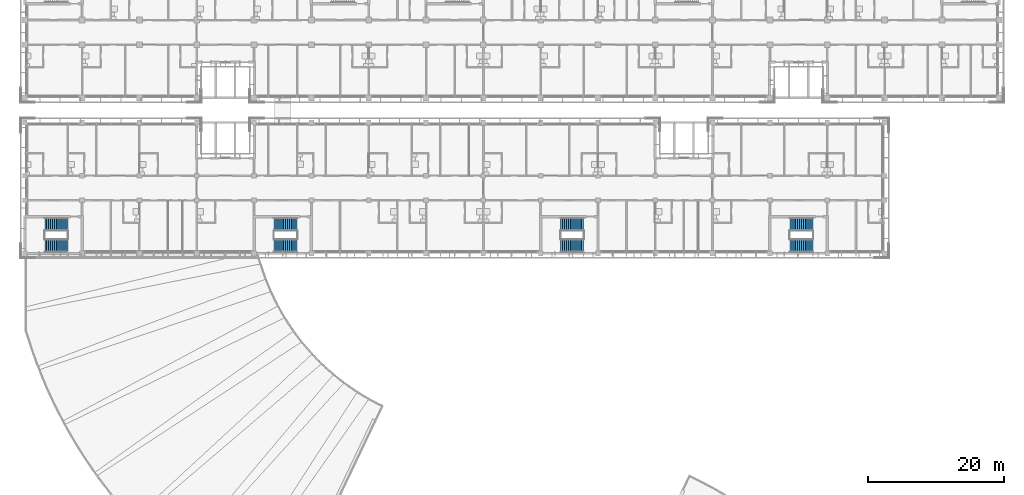
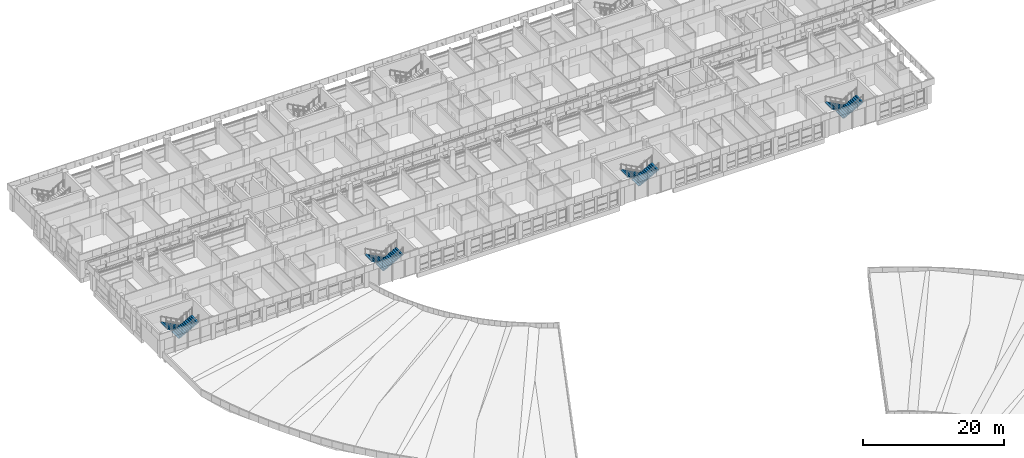
# One storey, part 45 of 74: 8 stair flights, 4 elements without a shape of their own.
"""IFC4 building model written with IfcOpenShell, lengths in metres."""

from ifc_helpers import new_model, si_unit, direction, frame, origin, place, context, subcontext, project, spatial, polyline, outline, extrude, material, type_object, element, aggregate, save


model = new_model("IFC4")

# Units and contexts
model_context = context("Model", 3, precision=1e-05, world=origin(), true_north=direction((0.0, 1.0)))
body_context = subcontext(model_context, "Body", "Model", "MODEL_VIEW")
ifc_project = project(units=[si_unit("LENGTHUNIT", "METRE"), si_unit("AREAUNIT", "SQUARE_METRE"), si_unit("VOLUMEUNIT", "CUBIC_METRE"), si_unit("PLANEANGLEUNIT", "RADIAN"), si_unit("MASSUNIT", "GRAM", prefix="KILO")], contexts=[model_context])

# Site, building, storey
site_placement = place(None, origin())
site = spatial("IfcSite", under=ifc_project, at=site_placement, CompositionType="ELEMENT")
building_placement = place(site_placement, origin())
building = spatial("IfcBuilding", under=site, at=building_placement, Name="Bougainvillea Quay General Hospital", CompositionType="ELEMENT")
storey_placement = place(building_placement, frame((0.0, 0.0, 21.0)))
storey = spatial("IfcBuildingStorey", under=building, at=storey_placement, Name="L04", CompositionType="ELEMENT", Elevation=21.0)

# Stair, stair flights
ifc_material = material(Name="Concrete C35", Category="concrete")
stair_type = type_object("IfcStairType", Name="Stair half-turn 1925 wide", PredefinedType="HALF_TURN_STAIR", material=ifc_material)
stair_1_placement = place(storey_placement, origin())
stair_1 = element("IfcStair", 1, at=stair_1_placement, inside=storey, type_object=stair_type, Name="L04 stair ST-B1", PredefinedType="HALF_TURN_STAIR")
stair_flight_type = type_object("IfcStairFlightType", Name="Stair flight 1925", PredefinedType="STRAIGHT", material=ifc_material)
stair_flight_1_placement = place(storey_placement, frame((48.300048828125, 121.862548828125, 0.0), z_axis=(0.0, 0.0, 1.0), x_axis=(-1.0, 0.0, 0.0)))
stair_flight_1 = element("IfcStairFlight", 2, at=stair_flight_1_placement, type_object=stair_flight_type, Name="ST-B1 flight 1", NumberOfRisers=13, NumberOfTreads=12, PredefinedType="STRAIGHT", RiserHeight=0.15, TreadLength=0.28, context=body_context, shape_type="SweptSolid", body=[
    extrude(outline(polyline([(-0.0029296875, 0.0), (-0.0029296875, 0.003662109375), (-0.0029296875, 0.00732421875), (-0.0029296875, 0.010986328125), (-0.0029296875, 0.0146484375), (-0.0029296875, 0.018310546875), (-0.0029296875, 0.02197265625), (-0.0029296875, 0.025634765625), (-0.0029296875, 0.029296875), (-0.0029296875, 0.032958984375), (-0.0029296875, 0.03662109375), (-0.0029296875, 0.040283203125), (-0.0029296875, 0.0439453125), (-0.0029296875, 0.047607421875), (-0.0029296875, 0.05126953125), (-0.0029296875, 0.054931640625), (-0.0029296875, 0.05859375), (-0.0029296875, 0.062255859375), (-0.0029296875, 0.06591796875), (-0.0029296875, 0.069580078125), (-0.0029296875, 0.0732421875), (-0.0029296875, 0.076904296875), (-0.0029296875, 0.08056640625), (-0.0029296875, 0.084228515625), (-0.0029296875, 0.087890625), (-0.0029296875, 0.091552734375), (-0.0029296875, 0.09521484375), (-0.0029296875, 0.098876953125), (-0.0029296875, 0.1025390625), (-0.0029296875, 0.106201171875), (-0.0029296875, 0.10986328125), (-0.0029296875, 0.113525390625), (-0.0029296875, 0.1171875), (-0.0029296875, 0.120849609375), (-0.0029296875, 0.12451171875), (-0.0029296875, 0.1279296875), (-0.0029296875, 0.131591796875), (-0.0029296875, 0.13525390625), (-0.0029296875, 0.138916015625), (-0.0029296875, 0.142578125), (-0.0029296875, 0.146240234375), (-0.0029296875, 0.14990234375), (0.280029296875, 0.14990234375), (0.280029296875, 0.300048828125), (0.56005859375, 0.300048828125), (0.56005859375, 0.449951171875), (0.840087890625, 0.449951171875), (0.840087890625, 0.60009765625), (1.1201171875, 0.60009765625), (1.1201171875, 0.75), (1.39990234375, 0.75), (1.39990234375, 0.89990234375), (1.679931640625, 0.89990234375), (1.679931640625, 1.050048828125), (1.9599609375, 1.050048828125), (1.9599609375, 1.199951171875), (2.239990234375, 1.199951171875), (2.239990234375, 1.35009765625), (2.52001953125, 1.35009765625), (2.52001953125, 1.5), (2.800048828125, 1.5), (2.800048828125, 1.64990234375), (3.080078125, 1.64990234375), (3.080078125, 1.800048828125), (3.363037109375, 1.800048828125), (3.363037109375, 1.7958984375), (3.363037109375, 1.791748046875), (3.363037109375, 1.78759765625), (3.363037109375, 1.783447265625), (3.363037109375, 1.779296875), (3.363037109375, 1.775146484375), (3.363037109375, 1.77099609375), (3.363037109375, 1.766845703125), (3.363037109375, 1.7626953125), (3.363037109375, 1.758544921875), (3.363037109375, 1.75439453125), (3.363037109375, 1.750244140625), (3.363037109375, 1.74609375), (3.363037109375, 1.741943359375), (3.363037109375, 1.73779296875), (3.363037109375, 1.733642578125), (3.363037109375, 1.7294921875), (3.363037109375, 1.725341796875), (3.363037109375, 1.72119140625), (3.363037109375, 1.717041015625), (3.363037109375, 1.712890625), (3.363037109375, 1.708740234375), (3.363037109375, 1.70458984375), (3.363037109375, 1.700439453125), (3.363037109375, 1.6962890625), (3.363037109375, 1.692138671875), (3.363037109375, 1.68798828125), (3.363037109375, 1.683837890625), (3.363037109375, 1.6796875), (3.363037109375, 1.675537109375), (3.363037109375, 1.67138671875), (3.363037109375, 1.667236328125), (3.363037109375, 1.6630859375), (3.363037109375, 1.658935546875), (3.363037109375, 1.65478515625), (3.363037109375, 1.650634765625), (3.363037109375, 1.646484375), (3.363037109375, 1.642333984375), (3.363037109375, 1.63818359375), (3.363037109375, 1.634033203125), (3.363037109375, 1.6298828125), (0.3173828125, 0.0), (-0.0029296875, 0.0)])), frame((0.0, 0.96240234375, 0.0), z_axis=(0.0, -1.0, 0.0), x_axis=(1.0, 0.0, 0.0)), (0.0, 0.0, 1.0), 1.925048828125),
])
stair_flight_2_placement = place(storey_placement, frame((44.93994140625, 118.737548828125, 1.949951171875), z_axis=(0.0, 0.0, 1.0), x_axis=(1.0, 0.0, 0.0)))
stair_flight_2 = element("IfcStairFlight", 3, at=stair_flight_2_placement, type_object=stair_flight_type, Name="ST-B1 flight 2", NumberOfRisers=13, NumberOfTreads=12, PredefinedType="STRAIGHT", RiserHeight=0.15, TreadLength=0.28, context=body_context, shape_type="SweptSolid", body=[
    extrude(outline(polyline([(-0.0029296875, 0.0), (-0.0029296875, 0.003662109375), (-0.0029296875, 0.00732421875), (-0.0029296875, 0.010986328125), (-0.0029296875, 0.0146484375), (-0.0029296875, 0.018310546875), (-0.0029296875, 0.02197265625), (-0.0029296875, 0.025634765625), (-0.0029296875, 0.029296875), (-0.0029296875, 0.032958984375), (-0.0029296875, 0.03662109375), (-0.0029296875, 0.040283203125), (-0.0029296875, 0.0439453125), (-0.0029296875, 0.047607421875), (-0.0029296875, 0.05126953125), (-0.0029296875, 0.054931640625), (-0.0029296875, 0.05859375), (-0.0029296875, 0.062255859375), (-0.0029296875, 0.06591796875), (-0.0029296875, 0.069580078125), (-0.0029296875, 0.0732421875), (-0.0029296875, 0.076904296875), (-0.0029296875, 0.08056640625), (-0.0029296875, 0.084228515625), (-0.0029296875, 0.087890625), (-0.0029296875, 0.091552734375), (-0.0029296875, 0.09521484375), (-0.0029296875, 0.098876953125), (-0.0029296875, 0.1025390625), (-0.0029296875, 0.106201171875), (-0.0029296875, 0.10986328125), (-0.0029296875, 0.113525390625), (-0.0029296875, 0.1171875), (-0.0029296875, 0.120849609375), (-0.0029296875, 0.12451171875), (-0.0029296875, 0.1279296875), (-0.0029296875, 0.131591796875), (-0.0029296875, 0.13525390625), (-0.0029296875, 0.138916015625), (-0.0029296875, 0.142578125), (-0.0029296875, 0.146240234375), (-0.0029296875, 0.14990234375), (0.280029296875, 0.14990234375), (0.280029296875, 0.300048828125), (0.56005859375, 0.300048828125), (0.56005859375, 0.449951171875), (0.840087890625, 0.449951171875), (0.840087890625, 0.60009765625), (1.1201171875, 0.60009765625), (1.1201171875, 0.75), (1.39990234375, 0.75), (1.39990234375, 0.89990234375), (1.679931640625, 0.89990234375), (1.679931640625, 1.050048828125), (1.9599609375, 1.050048828125), (1.9599609375, 1.199951171875), (2.239990234375, 1.199951171875), (2.239990234375, 1.35009765625), (2.52001953125, 1.35009765625), (2.52001953125, 1.5), (2.800048828125, 1.5), (2.800048828125, 1.64990234375), (3.080078125, 1.64990234375), (3.080078125, 1.800048828125), (3.363037109375, 1.800048828125), (3.363037109375, 1.7958984375), (3.363037109375, 1.791748046875), (3.363037109375, 1.78759765625), (3.363037109375, 1.783447265625), (3.363037109375, 1.779296875), (3.363037109375, 1.775146484375), (3.363037109375, 1.77099609375), (3.363037109375, 1.766845703125), (3.363037109375, 1.7626953125), (3.363037109375, 1.758544921875), (3.363037109375, 1.75439453125), (3.363037109375, 1.750244140625), (3.363037109375, 1.74609375), (3.363037109375, 1.741943359375), (3.363037109375, 1.73779296875), (3.363037109375, 1.733642578125), (3.363037109375, 1.7294921875), (3.363037109375, 1.725341796875), (3.363037109375, 1.72119140625), (3.363037109375, 1.717041015625), (3.363037109375, 1.712890625), (3.363037109375, 1.708740234375), (3.363037109375, 1.70458984375), (3.363037109375, 1.700439453125), (3.363037109375, 1.6962890625), (3.363037109375, 1.692138671875), (3.363037109375, 1.68798828125), (3.363037109375, 1.683837890625), (3.363037109375, 1.6796875), (3.363037109375, 1.675537109375), (3.363037109375, 1.67138671875), (3.363037109375, 1.667236328125), (3.363037109375, 1.6630859375), (3.363037109375, 1.658935546875), (3.363037109375, 1.65478515625), (3.363037109375, 1.650634765625), (3.363037109375, 1.646484375), (3.363037109375, 1.642333984375), (3.363037109375, 1.63818359375), (3.363037109375, 1.634033203125), (3.363037109375, 1.6298828125), (0.3173828125, 0.0), (-0.0029296875, 0.0)])), frame((0.0, 0.96240234375, 0.0), z_axis=(0.0, -1.0, 0.0), x_axis=(1.0, 0.0, 0.0)), (0.0, 0.0, 1.0), 1.925048828125),
])
aggregate(stair_1, [stair_flight_1, stair_flight_2])

stair_2_placement = place(storey_placement, origin())
stair_2 = element("IfcStair", 4, at=stair_2_placement, inside=storey, type_object=stair_type, Name="L04 stair ST-B2", PredefinedType="HALF_TURN_STAIR")
stair_flight_3_placement = place(storey_placement, frame((81.89990234375, 121.862548828125, 0.0), z_axis=(0.0, 0.0, 1.0), x_axis=(-1.0, 0.0, 0.0)))
stair_flight_3 = element("IfcStairFlight", 5, at=stair_flight_3_placement, type_object=stair_flight_type, Name="ST-B2 flight 1", NumberOfRisers=13, NumberOfTreads=12, PredefinedType="STRAIGHT", RiserHeight=0.15, TreadLength=0.28, context=body_context, shape_type="SweptSolid", body=[
    extrude(outline(polyline([(-0.0029296875, 0.0), (-0.0029296875, 0.003662109375), (-0.0029296875, 0.00732421875), (-0.0029296875, 0.010986328125), (-0.0029296875, 0.0146484375), (-0.0029296875, 0.018310546875), (-0.0029296875, 0.02197265625), (-0.0029296875, 0.025634765625), (-0.0029296875, 0.029296875), (-0.0029296875, 0.032958984375), (-0.0029296875, 0.03662109375), (-0.0029296875, 0.040283203125), (-0.0029296875, 0.0439453125), (-0.0029296875, 0.047607421875), (-0.0029296875, 0.05126953125), (-0.0029296875, 0.054931640625), (-0.0029296875, 0.05859375), (-0.0029296875, 0.062255859375), (-0.0029296875, 0.06591796875), (-0.0029296875, 0.069580078125), (-0.0029296875, 0.0732421875), (-0.0029296875, 0.076904296875), (-0.0029296875, 0.08056640625), (-0.0029296875, 0.084228515625), (-0.0029296875, 0.087890625), (-0.0029296875, 0.091552734375), (-0.0029296875, 0.09521484375), (-0.0029296875, 0.098876953125), (-0.0029296875, 0.1025390625), (-0.0029296875, 0.106201171875), (-0.0029296875, 0.10986328125), (-0.0029296875, 0.113525390625), (-0.0029296875, 0.1171875), (-0.0029296875, 0.120849609375), (-0.0029296875, 0.12451171875), (-0.0029296875, 0.1279296875), (-0.0029296875, 0.131591796875), (-0.0029296875, 0.13525390625), (-0.0029296875, 0.138916015625), (-0.0029296875, 0.142578125), (-0.0029296875, 0.146240234375), (-0.0029296875, 0.14990234375), (0.280029296875, 0.14990234375), (0.280029296875, 0.300048828125), (0.56005859375, 0.300048828125), (0.56005859375, 0.449951171875), (0.840087890625, 0.449951171875), (0.840087890625, 0.60009765625), (1.1201171875, 0.60009765625), (1.1201171875, 0.75), (1.39990234375, 0.75), (1.39990234375, 0.89990234375), (1.679931640625, 0.89990234375), (1.679931640625, 1.050048828125), (1.9599609375, 1.050048828125), (1.9599609375, 1.199951171875), (2.239990234375, 1.199951171875), (2.239990234375, 1.35009765625), (2.52001953125, 1.35009765625), (2.52001953125, 1.5), (2.800048828125, 1.5), (2.800048828125, 1.64990234375), (3.080078125, 1.64990234375), (3.080078125, 1.800048828125), (3.363037109375, 1.800048828125), (3.363037109375, 1.7958984375), (3.363037109375, 1.791748046875), (3.363037109375, 1.78759765625), (3.363037109375, 1.783447265625), (3.363037109375, 1.779296875), (3.363037109375, 1.775146484375), (3.363037109375, 1.77099609375), (3.363037109375, 1.766845703125), (3.363037109375, 1.7626953125), (3.363037109375, 1.758544921875), (3.363037109375, 1.75439453125), (3.363037109375, 1.750244140625), (3.363037109375, 1.74609375), (3.363037109375, 1.741943359375), (3.363037109375, 1.73779296875), (3.363037109375, 1.733642578125), (3.363037109375, 1.7294921875), (3.363037109375, 1.725341796875), (3.363037109375, 1.72119140625), (3.363037109375, 1.717041015625), (3.363037109375, 1.712890625), (3.363037109375, 1.708740234375), (3.363037109375, 1.70458984375), (3.363037109375, 1.700439453125), (3.363037109375, 1.6962890625), (3.363037109375, 1.692138671875), (3.363037109375, 1.68798828125), (3.363037109375, 1.683837890625), (3.363037109375, 1.6796875), (3.363037109375, 1.675537109375), (3.363037109375, 1.67138671875), (3.363037109375, 1.667236328125), (3.363037109375, 1.6630859375), (3.363037109375, 1.658935546875), (3.363037109375, 1.65478515625), (3.363037109375, 1.650634765625), (3.363037109375, 1.646484375), (3.363037109375, 1.642333984375), (3.363037109375, 1.63818359375), (3.363037109375, 1.634033203125), (3.363037109375, 1.6298828125), (0.3173828125, 0.0), (-0.0029296875, 0.0)])), frame((0.0, 0.96240234375, 0.0), z_axis=(0.0, -1.0, 0.0), x_axis=(1.0, 0.0, 0.0)), (0.0, 0.0, 1.0), 1.925048828125),
])
stair_flight_4_placement = place(storey_placement, frame((78.5400390625, 118.737548828125, 1.949951171875), z_axis=(0.0, 0.0, 1.0), x_axis=(1.0, 0.0, 0.0)))
stair_flight_4 = element("IfcStairFlight", 6, at=stair_flight_4_placement, type_object=stair_flight_type, Name="ST-B2 flight 2", NumberOfRisers=13, NumberOfTreads=12, PredefinedType="STRAIGHT", RiserHeight=0.15, TreadLength=0.28, context=body_context, shape_type="SweptSolid", body=[
    extrude(outline(polyline([(-0.0029296875, 0.0), (-0.0029296875, 0.003662109375), (-0.0029296875, 0.00732421875), (-0.0029296875, 0.010986328125), (-0.0029296875, 0.0146484375), (-0.0029296875, 0.018310546875), (-0.0029296875, 0.02197265625), (-0.0029296875, 0.025634765625), (-0.0029296875, 0.029296875), (-0.0029296875, 0.032958984375), (-0.0029296875, 0.03662109375), (-0.0029296875, 0.040283203125), (-0.0029296875, 0.0439453125), (-0.0029296875, 0.047607421875), (-0.0029296875, 0.05126953125), (-0.0029296875, 0.054931640625), (-0.0029296875, 0.05859375), (-0.0029296875, 0.062255859375), (-0.0029296875, 0.06591796875), (-0.0029296875, 0.069580078125), (-0.0029296875, 0.0732421875), (-0.0029296875, 0.076904296875), (-0.0029296875, 0.08056640625), (-0.0029296875, 0.084228515625), (-0.0029296875, 0.087890625), (-0.0029296875, 0.091552734375), (-0.0029296875, 0.09521484375), (-0.0029296875, 0.098876953125), (-0.0029296875, 0.1025390625), (-0.0029296875, 0.106201171875), (-0.0029296875, 0.10986328125), (-0.0029296875, 0.113525390625), (-0.0029296875, 0.1171875), (-0.0029296875, 0.120849609375), (-0.0029296875, 0.12451171875), (-0.0029296875, 0.1279296875), (-0.0029296875, 0.131591796875), (-0.0029296875, 0.13525390625), (-0.0029296875, 0.138916015625), (-0.0029296875, 0.142578125), (-0.0029296875, 0.146240234375), (-0.0029296875, 0.14990234375), (0.280029296875, 0.14990234375), (0.280029296875, 0.300048828125), (0.56005859375, 0.300048828125), (0.56005859375, 0.449951171875), (0.840087890625, 0.449951171875), (0.840087890625, 0.60009765625), (1.1201171875, 0.60009765625), (1.1201171875, 0.75), (1.39990234375, 0.75), (1.39990234375, 0.89990234375), (1.679931640625, 0.89990234375), (1.679931640625, 1.050048828125), (1.9599609375, 1.050048828125), (1.9599609375, 1.199951171875), (2.239990234375, 1.199951171875), (2.239990234375, 1.35009765625), (2.52001953125, 1.35009765625), (2.52001953125, 1.5), (2.800048828125, 1.5), (2.800048828125, 1.64990234375), (3.080078125, 1.64990234375), (3.080078125, 1.800048828125), (3.363037109375, 1.800048828125), (3.363037109375, 1.7958984375), (3.363037109375, 1.791748046875), (3.363037109375, 1.78759765625), (3.363037109375, 1.783447265625), (3.363037109375, 1.779296875), (3.363037109375, 1.775146484375), (3.363037109375, 1.77099609375), (3.363037109375, 1.766845703125), (3.363037109375, 1.7626953125), (3.363037109375, 1.758544921875), (3.363037109375, 1.75439453125), (3.363037109375, 1.750244140625), (3.363037109375, 1.74609375), (3.363037109375, 1.741943359375), (3.363037109375, 1.73779296875), (3.363037109375, 1.733642578125), (3.363037109375, 1.7294921875), (3.363037109375, 1.725341796875), (3.363037109375, 1.72119140625), (3.363037109375, 1.717041015625), (3.363037109375, 1.712890625), (3.363037109375, 1.708740234375), (3.363037109375, 1.70458984375), (3.363037109375, 1.700439453125), (3.363037109375, 1.6962890625), (3.363037109375, 1.692138671875), (3.363037109375, 1.68798828125), (3.363037109375, 1.683837890625), (3.363037109375, 1.6796875), (3.363037109375, 1.675537109375), (3.363037109375, 1.67138671875), (3.363037109375, 1.667236328125), (3.363037109375, 1.6630859375), (3.363037109375, 1.658935546875), (3.363037109375, 1.65478515625), (3.363037109375, 1.650634765625), (3.363037109375, 1.646484375), (3.363037109375, 1.642333984375), (3.363037109375, 1.63818359375), (3.363037109375, 1.634033203125), (3.363037109375, 1.6298828125), (0.3173828125, 0.0), (-0.0029296875, 0.0)])), frame((0.0, 0.96240234375, 0.0), z_axis=(0.0, -1.0, 0.0), x_axis=(1.0, 0.0, 0.0)), (0.0, 0.0, 1.0), 1.925048828125),
])
aggregate(stair_2, [stair_flight_3, stair_flight_4])

stair_3_placement = place(storey_placement, origin())
stair_3 = element("IfcStair", 7, at=stair_3_placement, inside=storey, type_object=stair_type, Name="L04 stair ST-B3", PredefinedType="HALF_TURN_STAIR")
stair_flight_5_placement = place(storey_placement, frame((123.89990234375, 121.862548828125, 0.0), z_axis=(0.0, 0.0, 1.0), x_axis=(-1.0, 0.0, 0.0)))
stair_flight_5 = element("IfcStairFlight", 8, at=stair_flight_5_placement, type_object=stair_flight_type, Name="ST-B3 flight 1", NumberOfRisers=13, NumberOfTreads=12, PredefinedType="STRAIGHT", RiserHeight=0.15, TreadLength=0.28, context=body_context, shape_type="SweptSolid", body=[
    extrude(outline(polyline([(-0.0029296875, 0.0), (-0.0029296875, 0.003662109375), (-0.0029296875, 0.00732421875), (-0.0029296875, 0.010986328125), (-0.0029296875, 0.0146484375), (-0.0029296875, 0.018310546875), (-0.0029296875, 0.02197265625), (-0.0029296875, 0.025634765625), (-0.0029296875, 0.029296875), (-0.0029296875, 0.032958984375), (-0.0029296875, 0.03662109375), (-0.0029296875, 0.040283203125), (-0.0029296875, 0.0439453125), (-0.0029296875, 0.047607421875), (-0.0029296875, 0.05126953125), (-0.0029296875, 0.054931640625), (-0.0029296875, 0.05859375), (-0.0029296875, 0.062255859375), (-0.0029296875, 0.06591796875), (-0.0029296875, 0.069580078125), (-0.0029296875, 0.0732421875), (-0.0029296875, 0.076904296875), (-0.0029296875, 0.08056640625), (-0.0029296875, 0.084228515625), (-0.0029296875, 0.087890625), (-0.0029296875, 0.091552734375), (-0.0029296875, 0.09521484375), (-0.0029296875, 0.098876953125), (-0.0029296875, 0.1025390625), (-0.0029296875, 0.106201171875), (-0.0029296875, 0.10986328125), (-0.0029296875, 0.113525390625), (-0.0029296875, 0.1171875), (-0.0029296875, 0.120849609375), (-0.0029296875, 0.12451171875), (-0.0029296875, 0.1279296875), (-0.0029296875, 0.131591796875), (-0.0029296875, 0.13525390625), (-0.0029296875, 0.138916015625), (-0.0029296875, 0.142578125), (-0.0029296875, 0.146240234375), (-0.0029296875, 0.14990234375), (0.280029296875, 0.14990234375), (0.280029296875, 0.300048828125), (0.56005859375, 0.300048828125), (0.56005859375, 0.449951171875), (0.840087890625, 0.449951171875), (0.840087890625, 0.60009765625), (1.1201171875, 0.60009765625), (1.1201171875, 0.75), (1.39990234375, 0.75), (1.39990234375, 0.89990234375), (1.679931640625, 0.89990234375), (1.679931640625, 1.050048828125), (1.9599609375, 1.050048828125), (1.9599609375, 1.199951171875), (2.239990234375, 1.199951171875), (2.239990234375, 1.35009765625), (2.52001953125, 1.35009765625), (2.52001953125, 1.5), (2.800048828125, 1.5), (2.800048828125, 1.64990234375), (3.080078125, 1.64990234375), (3.080078125, 1.800048828125), (3.363037109375, 1.800048828125), (3.363037109375, 1.7958984375), (3.363037109375, 1.791748046875), (3.363037109375, 1.78759765625), (3.363037109375, 1.783447265625), (3.363037109375, 1.779296875), (3.363037109375, 1.775146484375), (3.363037109375, 1.77099609375), (3.363037109375, 1.766845703125), (3.363037109375, 1.7626953125), (3.363037109375, 1.758544921875), (3.363037109375, 1.75439453125), (3.363037109375, 1.750244140625), (3.363037109375, 1.74609375), (3.363037109375, 1.741943359375), (3.363037109375, 1.73779296875), (3.363037109375, 1.733642578125), (3.363037109375, 1.7294921875), (3.363037109375, 1.725341796875), (3.363037109375, 1.72119140625), (3.363037109375, 1.717041015625), (3.363037109375, 1.712890625), (3.363037109375, 1.708740234375), (3.363037109375, 1.70458984375), (3.363037109375, 1.700439453125), (3.363037109375, 1.6962890625), (3.363037109375, 1.692138671875), (3.363037109375, 1.68798828125), (3.363037109375, 1.683837890625), (3.363037109375, 1.6796875), (3.363037109375, 1.675537109375), (3.363037109375, 1.67138671875), (3.363037109375, 1.667236328125), (3.363037109375, 1.6630859375), (3.363037109375, 1.658935546875), (3.363037109375, 1.65478515625), (3.363037109375, 1.650634765625), (3.363037109375, 1.646484375), (3.363037109375, 1.642333984375), (3.363037109375, 1.63818359375), (3.363037109375, 1.634033203125), (3.363037109375, 1.6298828125), (0.3173828125, 0.0), (-0.0029296875, 0.0)])), frame((0.0, 0.96240234375, 0.0), z_axis=(0.0, -1.0, 0.0), x_axis=(1.0, 0.0, 0.0)), (0.0, 0.0, 1.0), 1.925048828125),
])
stair_flight_6_placement = place(storey_placement, frame((120.5400390625, 118.737548828125, 1.949951171875), z_axis=(0.0, 0.0, 1.0), x_axis=(1.0, 0.0, 0.0)))
stair_flight_6 = element("IfcStairFlight", 9, at=stair_flight_6_placement, type_object=stair_flight_type, Name="ST-B3 flight 2", NumberOfRisers=13, NumberOfTreads=12, PredefinedType="STRAIGHT", RiserHeight=0.15, TreadLength=0.28, context=body_context, shape_type="SweptSolid", body=[
    extrude(outline(polyline([(-0.0029296875, 0.0), (-0.0029296875, 0.003662109375), (-0.0029296875, 0.00732421875), (-0.0029296875, 0.010986328125), (-0.0029296875, 0.0146484375), (-0.0029296875, 0.018310546875), (-0.0029296875, 0.02197265625), (-0.0029296875, 0.025634765625), (-0.0029296875, 0.029296875), (-0.0029296875, 0.032958984375), (-0.0029296875, 0.03662109375), (-0.0029296875, 0.040283203125), (-0.0029296875, 0.0439453125), (-0.0029296875, 0.047607421875), (-0.0029296875, 0.05126953125), (-0.0029296875, 0.054931640625), (-0.0029296875, 0.05859375), (-0.0029296875, 0.062255859375), (-0.0029296875, 0.06591796875), (-0.0029296875, 0.069580078125), (-0.0029296875, 0.0732421875), (-0.0029296875, 0.076904296875), (-0.0029296875, 0.08056640625), (-0.0029296875, 0.084228515625), (-0.0029296875, 0.087890625), (-0.0029296875, 0.091552734375), (-0.0029296875, 0.09521484375), (-0.0029296875, 0.098876953125), (-0.0029296875, 0.1025390625), (-0.0029296875, 0.106201171875), (-0.0029296875, 0.10986328125), (-0.0029296875, 0.113525390625), (-0.0029296875, 0.1171875), (-0.0029296875, 0.120849609375), (-0.0029296875, 0.12451171875), (-0.0029296875, 0.1279296875), (-0.0029296875, 0.131591796875), (-0.0029296875, 0.13525390625), (-0.0029296875, 0.138916015625), (-0.0029296875, 0.142578125), (-0.0029296875, 0.146240234375), (-0.0029296875, 0.14990234375), (0.280029296875, 0.14990234375), (0.280029296875, 0.300048828125), (0.56005859375, 0.300048828125), (0.56005859375, 0.449951171875), (0.840087890625, 0.449951171875), (0.840087890625, 0.60009765625), (1.1201171875, 0.60009765625), (1.1201171875, 0.75), (1.39990234375, 0.75), (1.39990234375, 0.89990234375), (1.679931640625, 0.89990234375), (1.679931640625, 1.050048828125), (1.9599609375, 1.050048828125), (1.9599609375, 1.199951171875), (2.239990234375, 1.199951171875), (2.239990234375, 1.35009765625), (2.52001953125, 1.35009765625), (2.52001953125, 1.5), (2.800048828125, 1.5), (2.800048828125, 1.64990234375), (3.080078125, 1.64990234375), (3.080078125, 1.800048828125), (3.363037109375, 1.800048828125), (3.363037109375, 1.7958984375), (3.363037109375, 1.791748046875), (3.363037109375, 1.78759765625), (3.363037109375, 1.783447265625), (3.363037109375, 1.779296875), (3.363037109375, 1.775146484375), (3.363037109375, 1.77099609375), (3.363037109375, 1.766845703125), (3.363037109375, 1.7626953125), (3.363037109375, 1.758544921875), (3.363037109375, 1.75439453125), (3.363037109375, 1.750244140625), (3.363037109375, 1.74609375), (3.363037109375, 1.741943359375), (3.363037109375, 1.73779296875), (3.363037109375, 1.733642578125), (3.363037109375, 1.7294921875), (3.363037109375, 1.725341796875), (3.363037109375, 1.72119140625), (3.363037109375, 1.717041015625), (3.363037109375, 1.712890625), (3.363037109375, 1.708740234375), (3.363037109375, 1.70458984375), (3.363037109375, 1.700439453125), (3.363037109375, 1.6962890625), (3.363037109375, 1.692138671875), (3.363037109375, 1.68798828125), (3.363037109375, 1.683837890625), (3.363037109375, 1.6796875), (3.363037109375, 1.675537109375), (3.363037109375, 1.67138671875), (3.363037109375, 1.667236328125), (3.363037109375, 1.6630859375), (3.363037109375, 1.658935546875), (3.363037109375, 1.65478515625), (3.363037109375, 1.650634765625), (3.363037109375, 1.646484375), (3.363037109375, 1.642333984375), (3.363037109375, 1.63818359375), (3.363037109375, 1.634033203125), (3.363037109375, 1.6298828125), (0.3173828125, 0.0), (-0.0029296875, 0.0)])), frame((0.0, 0.96240234375, 0.0), z_axis=(0.0, -1.0, 0.0), x_axis=(1.0, 0.0, 0.0)), (0.0, 0.0, 1.0), 1.925048828125),
])
aggregate(stair_3, [stair_flight_5, stair_flight_6])

stair_4_placement = place(storey_placement, origin())
stair_4 = element("IfcStair", 10, at=stair_4_placement, inside=storey, type_object=stair_type, Name="L04 stair ST-B4", PredefinedType="HALF_TURN_STAIR")
stair_flight_7_placement = place(storey_placement, frame((157.5, 121.862548828125, 0.0), z_axis=(0.0, 0.0, 1.0), x_axis=(-1.0, 0.0, 0.0)))
stair_flight_7 = element("IfcStairFlight", 11, at=stair_flight_7_placement, type_object=stair_flight_type, Name="ST-B4 flight 1", NumberOfRisers=13, NumberOfTreads=12, PredefinedType="STRAIGHT", RiserHeight=0.15, TreadLength=0.28, context=body_context, shape_type="SweptSolid", body=[
    extrude(outline(polyline([(-0.0029296875, 0.0), (-0.0029296875, 0.003662109375), (-0.0029296875, 0.00732421875), (-0.0029296875, 0.010986328125), (-0.0029296875, 0.0146484375), (-0.0029296875, 0.018310546875), (-0.0029296875, 0.02197265625), (-0.0029296875, 0.025634765625), (-0.0029296875, 0.029296875), (-0.0029296875, 0.032958984375), (-0.0029296875, 0.03662109375), (-0.0029296875, 0.040283203125), (-0.0029296875, 0.0439453125), (-0.0029296875, 0.047607421875), (-0.0029296875, 0.05126953125), (-0.0029296875, 0.054931640625), (-0.0029296875, 0.05859375), (-0.0029296875, 0.062255859375), (-0.0029296875, 0.06591796875), (-0.0029296875, 0.069580078125), (-0.0029296875, 0.0732421875), (-0.0029296875, 0.076904296875), (-0.0029296875, 0.08056640625), (-0.0029296875, 0.084228515625), (-0.0029296875, 0.087890625), (-0.0029296875, 0.091552734375), (-0.0029296875, 0.09521484375), (-0.0029296875, 0.098876953125), (-0.0029296875, 0.1025390625), (-0.0029296875, 0.106201171875), (-0.0029296875, 0.10986328125), (-0.0029296875, 0.113525390625), (-0.0029296875, 0.1171875), (-0.0029296875, 0.120849609375), (-0.0029296875, 0.12451171875), (-0.0029296875, 0.1279296875), (-0.0029296875, 0.131591796875), (-0.0029296875, 0.13525390625), (-0.0029296875, 0.138916015625), (-0.0029296875, 0.142578125), (-0.0029296875, 0.146240234375), (-0.0029296875, 0.14990234375), (0.280029296875, 0.14990234375), (0.280029296875, 0.300048828125), (0.56005859375, 0.300048828125), (0.56005859375, 0.449951171875), (0.840087890625, 0.449951171875), (0.840087890625, 0.60009765625), (1.1201171875, 0.60009765625), (1.1201171875, 0.75), (1.39990234375, 0.75), (1.39990234375, 0.89990234375), (1.679931640625, 0.89990234375), (1.679931640625, 1.050048828125), (1.9599609375, 1.050048828125), (1.9599609375, 1.199951171875), (2.239990234375, 1.199951171875), (2.239990234375, 1.35009765625), (2.52001953125, 1.35009765625), (2.52001953125, 1.5), (2.800048828125, 1.5), (2.800048828125, 1.64990234375), (3.080078125, 1.64990234375), (3.080078125, 1.800048828125), (3.363037109375, 1.800048828125), (3.363037109375, 1.7958984375), (3.363037109375, 1.791748046875), (3.363037109375, 1.78759765625), (3.363037109375, 1.783447265625), (3.363037109375, 1.779296875), (3.363037109375, 1.775146484375), (3.363037109375, 1.77099609375), (3.363037109375, 1.766845703125), (3.363037109375, 1.7626953125), (3.363037109375, 1.758544921875), (3.363037109375, 1.75439453125), (3.363037109375, 1.750244140625), (3.363037109375, 1.74609375), (3.363037109375, 1.741943359375), (3.363037109375, 1.73779296875), (3.363037109375, 1.733642578125), (3.363037109375, 1.7294921875), (3.363037109375, 1.725341796875), (3.363037109375, 1.72119140625), (3.363037109375, 1.717041015625), (3.363037109375, 1.712890625), (3.363037109375, 1.708740234375), (3.363037109375, 1.70458984375), (3.363037109375, 1.700439453125), (3.363037109375, 1.6962890625), (3.363037109375, 1.692138671875), (3.363037109375, 1.68798828125), (3.363037109375, 1.683837890625), (3.363037109375, 1.6796875), (3.363037109375, 1.675537109375), (3.363037109375, 1.67138671875), (3.363037109375, 1.667236328125), (3.363037109375, 1.6630859375), (3.363037109375, 1.658935546875), (3.363037109375, 1.65478515625), (3.363037109375, 1.650634765625), (3.363037109375, 1.646484375), (3.363037109375, 1.642333984375), (3.363037109375, 1.63818359375), (3.363037109375, 1.634033203125), (3.363037109375, 1.6298828125), (0.3173828125, 0.0), (-0.0029296875, 0.0)])), frame((0.0, 0.96240234375, 0.0), z_axis=(0.0, -1.0, 0.0), x_axis=(1.0, 0.0, 0.0)), (0.0, 0.0, 1.0), 1.925048828125),
])
stair_flight_8_placement = place(storey_placement, frame((154.139892578125, 118.737548828125, 1.949951171875), z_axis=(0.0, 0.0, 1.0), x_axis=(1.0, 0.0, 0.0)))
stair_flight_8 = element("IfcStairFlight", 12, at=stair_flight_8_placement, type_object=stair_flight_type, Name="ST-B4 flight 2", NumberOfRisers=13, NumberOfTreads=12, PredefinedType="STRAIGHT", RiserHeight=0.15, TreadLength=0.28, context=body_context, shape_type="SweptSolid", body=[
    extrude(outline(polyline([(-0.0029296875, 0.0), (-0.0029296875, 0.003662109375), (-0.0029296875, 0.00732421875), (-0.0029296875, 0.010986328125), (-0.0029296875, 0.0146484375), (-0.0029296875, 0.018310546875), (-0.0029296875, 0.02197265625), (-0.0029296875, 0.025634765625), (-0.0029296875, 0.029296875), (-0.0029296875, 0.032958984375), (-0.0029296875, 0.03662109375), (-0.0029296875, 0.040283203125), (-0.0029296875, 0.0439453125), (-0.0029296875, 0.047607421875), (-0.0029296875, 0.05126953125), (-0.0029296875, 0.054931640625), (-0.0029296875, 0.05859375), (-0.0029296875, 0.062255859375), (-0.0029296875, 0.06591796875), (-0.0029296875, 0.069580078125), (-0.0029296875, 0.0732421875), (-0.0029296875, 0.076904296875), (-0.0029296875, 0.08056640625), (-0.0029296875, 0.084228515625), (-0.0029296875, 0.087890625), (-0.0029296875, 0.091552734375), (-0.0029296875, 0.09521484375), (-0.0029296875, 0.098876953125), (-0.0029296875, 0.1025390625), (-0.0029296875, 0.106201171875), (-0.0029296875, 0.10986328125), (-0.0029296875, 0.113525390625), (-0.0029296875, 0.1171875), (-0.0029296875, 0.120849609375), (-0.0029296875, 0.12451171875), (-0.0029296875, 0.1279296875), (-0.0029296875, 0.131591796875), (-0.0029296875, 0.13525390625), (-0.0029296875, 0.138916015625), (-0.0029296875, 0.142578125), (-0.0029296875, 0.146240234375), (-0.0029296875, 0.14990234375), (0.280029296875, 0.14990234375), (0.280029296875, 0.300048828125), (0.56005859375, 0.300048828125), (0.56005859375, 0.449951171875), (0.840087890625, 0.449951171875), (0.840087890625, 0.60009765625), (1.1201171875, 0.60009765625), (1.1201171875, 0.75), (1.39990234375, 0.75), (1.39990234375, 0.89990234375), (1.679931640625, 0.89990234375), (1.679931640625, 1.050048828125), (1.9599609375, 1.050048828125), (1.9599609375, 1.199951171875), (2.239990234375, 1.199951171875), (2.239990234375, 1.35009765625), (2.52001953125, 1.35009765625), (2.52001953125, 1.5), (2.800048828125, 1.5), (2.800048828125, 1.64990234375), (3.080078125, 1.64990234375), (3.080078125, 1.800048828125), (3.363037109375, 1.800048828125), (3.363037109375, 1.7958984375), (3.363037109375, 1.791748046875), (3.363037109375, 1.78759765625), (3.363037109375, 1.783447265625), (3.363037109375, 1.779296875), (3.363037109375, 1.775146484375), (3.363037109375, 1.77099609375), (3.363037109375, 1.766845703125), (3.363037109375, 1.7626953125), (3.363037109375, 1.758544921875), (3.363037109375, 1.75439453125), (3.363037109375, 1.750244140625), (3.363037109375, 1.74609375), (3.363037109375, 1.741943359375), (3.363037109375, 1.73779296875), (3.363037109375, 1.733642578125), (3.363037109375, 1.7294921875), (3.363037109375, 1.725341796875), (3.363037109375, 1.72119140625), (3.363037109375, 1.717041015625), (3.363037109375, 1.712890625), (3.363037109375, 1.708740234375), (3.363037109375, 1.70458984375), (3.363037109375, 1.700439453125), (3.363037109375, 1.6962890625), (3.363037109375, 1.692138671875), (3.363037109375, 1.68798828125), (3.363037109375, 1.683837890625), (3.363037109375, 1.6796875), (3.363037109375, 1.675537109375), (3.363037109375, 1.67138671875), (3.363037109375, 1.667236328125), (3.363037109375, 1.6630859375), (3.363037109375, 1.658935546875), (3.363037109375, 1.65478515625), (3.363037109375, 1.650634765625), (3.363037109375, 1.646484375), (3.363037109375, 1.642333984375), (3.363037109375, 1.63818359375), (3.363037109375, 1.634033203125), (3.363037109375, 1.6298828125), (0.3173828125, 0.0), (-0.0029296875, 0.0)])), frame((0.0, 0.96240234375, 0.0), z_axis=(0.0, -1.0, 0.0), x_axis=(1.0, 0.0, 0.0)), (0.0, 0.0, 1.0), 1.925048828125),
])
aggregate(stair_4, [stair_flight_7, stair_flight_8])

save(model, "model.ifc")
